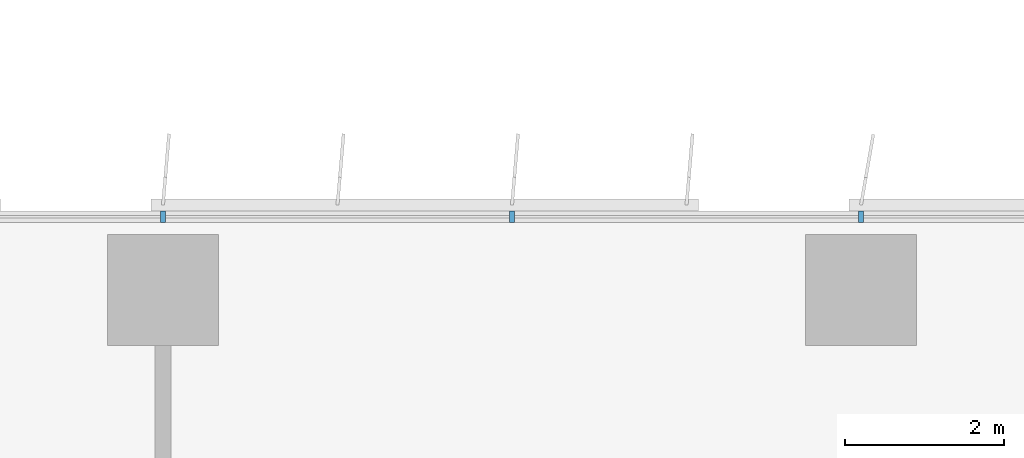
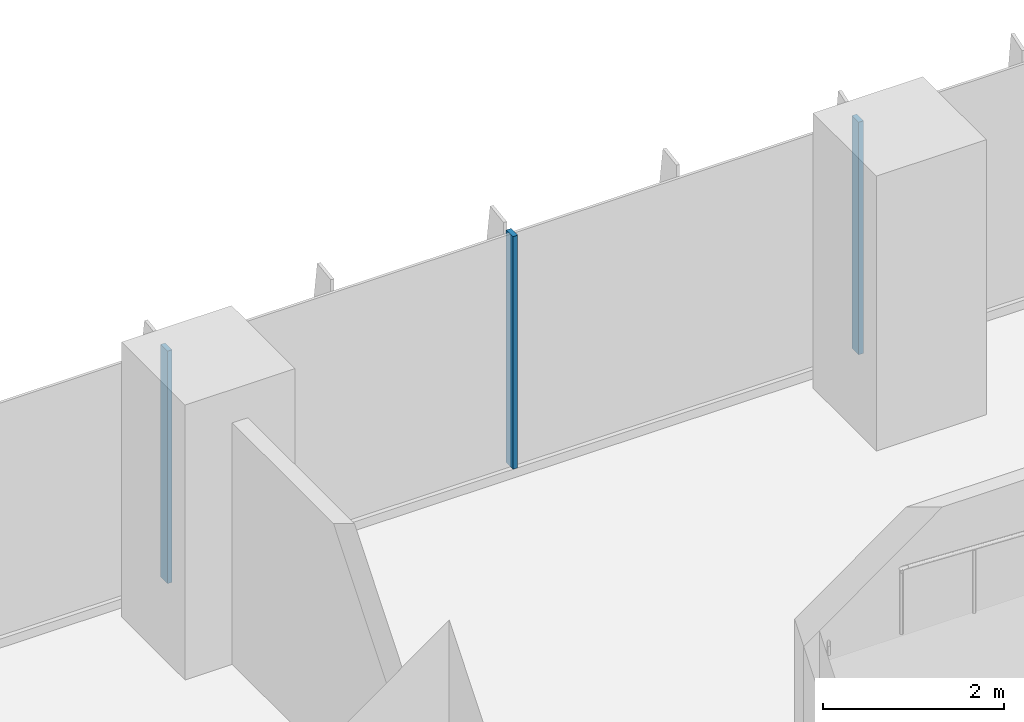
# One storey, part 4 of 24: 3 members, 1 element without a shape of its own.
"""IFC4 building model written with IfcOpenShell, lengths in metres."""

from ifc_helpers import new_model, si_unit, direction, frame, origin, origin_2d, place, context, subcontext, project, spatial, rectangle, extrude, source, transform, mapped, material, material_profile, profile_set, type_object, element, aggregate, save


model = new_model("IFC4")

# Units and contexts
model_context = context("Model", 3, precision=1e-05, world=origin(), true_north=direction((0.0, 1.0)))
body_context = subcontext(model_context, "Body", "Model", "MODEL_VIEW")
ifc_project = project(units=[si_unit("LENGTHUNIT", "METRE"), si_unit("AREAUNIT", "SQUARE_METRE"), si_unit("VOLUMEUNIT", "CUBIC_METRE"), si_unit("PLANEANGLEUNIT", "RADIAN"), si_unit("MASSUNIT", "GRAM", prefix="KILO")], contexts=[model_context])

# Site, building, storey
site_placement = place(None, origin())
site = spatial("IfcSite", under=ifc_project, at=site_placement, CompositionType="ELEMENT")
building_placement = place(site_placement, origin())
building = spatial("IfcBuilding", under=site, at=building_placement, Name="Kemantara Hotel Tower", CompositionType="ELEMENT")
storey_placement = place(building_placement, frame((0.0, 0.0, 79.699951171875)))
storey = spatial("IfcBuildingStorey", under=building, at=storey_placement, Name="L18", CompositionType="ELEMENT", Elevation=79.699951171875)

# Curtain wall, members
ifc_material_1 = material(Name="Low-E tinted double insulated glass 36 mm", Category="glass")
curtain_wall_type = type_object("IfcCurtainWallType", Name="TOWER CURTAIN WALL, FRONT FACES", PredefinedType="USERDEFINED", material=ifc_material_1)
curtain_wall_placement = place(storey_placement, origin())
curtain_wall = element("IfcCurtainWall", 1, at=curtain_wall_placement, inside=storey, type_object=curtain_wall_type, Name="CW4 L18 T1-R07-1", ObjectType="TOWER CURTAIN WALL, FRONT FACES", PredefinedType="USERDEFINED")
ifc_material_2 = material(Name="Aluminium 6063-T6 bronze anodised", Category="aluminium")
ifc_material_profile = material_profile(ifc_material_2, rectangle(XDim=0.14990234375, YDim=0.06005859375, at=origin_2d()), Name="TOWER CURTAIN WALL, FRONT FACES MULLION")
ifc_profile_set = profile_set([ifc_material_profile], Name="Aluminium 6063-T6 bronze anodised")
member_type = type_object("IfcMemberType", Name="TOWER CURTAIN WALL, FRONT FACES MULLION", PredefinedType="MULLION", material=ifc_profile_set)
shared_shape = source(origin(), body_context, "Body", "SweptSolid", [
    extrude(rectangle(XDim=0.14990234375, YDim=0.06005859375, at=origin_2d()), origin(), (0.0, 0.0, 1.0), 3.1298828125),
])
member_1_placement = place(storey_placement, frame((62.60009765625, 26.72509765625, 0.1201171875), z_axis=(0.0, 0.0, 1.0), x_axis=(0.0, -1.0, 0.0)))
member_1 = element("IfcMember", 2, at=member_1_placement, type_object=member_type, Name="CW4 mullion T1-R07-1.5", PredefinedType="MULLION", context=body_context, shape_type="MappedRepresentation", body=[
    mapped(shared_shape, transform((0.0, 0.0, 0.0))),
])
member_2_placement = place(storey_placement, frame((58.199951171875, 26.72509765625, 0.1201171875), z_axis=(0.0, 0.0, 1.0), x_axis=(0.0, -1.0, 0.0)))
member_2 = element("IfcMember", 3, at=member_2_placement, type_object=member_type, Name="CW4 mullion T1-R07-1.6", PredefinedType="MULLION", context=body_context, shape_type="MappedRepresentation", body=[
    mapped(shared_shape, transform((0.0, 0.0, 0.0))),
])
member_3_placement = place(storey_placement, frame((53.800048828125, 26.72509765625, 0.1201171875), z_axis=(0.0, 0.0, 1.0), x_axis=(0.0, -1.0, 0.0)))
member_3 = element("IfcMember", 4, at=member_3_placement, type_object=member_type, Name="CW4 mullion T1-R07-1.7", PredefinedType="MULLION", context=body_context, shape_type="MappedRepresentation", body=[
    mapped(shared_shape, transform((0.0, 0.0, 0.0))),
])
aggregate(curtain_wall, [member_1, member_2, member_3])

save(model, "model.ifc")
